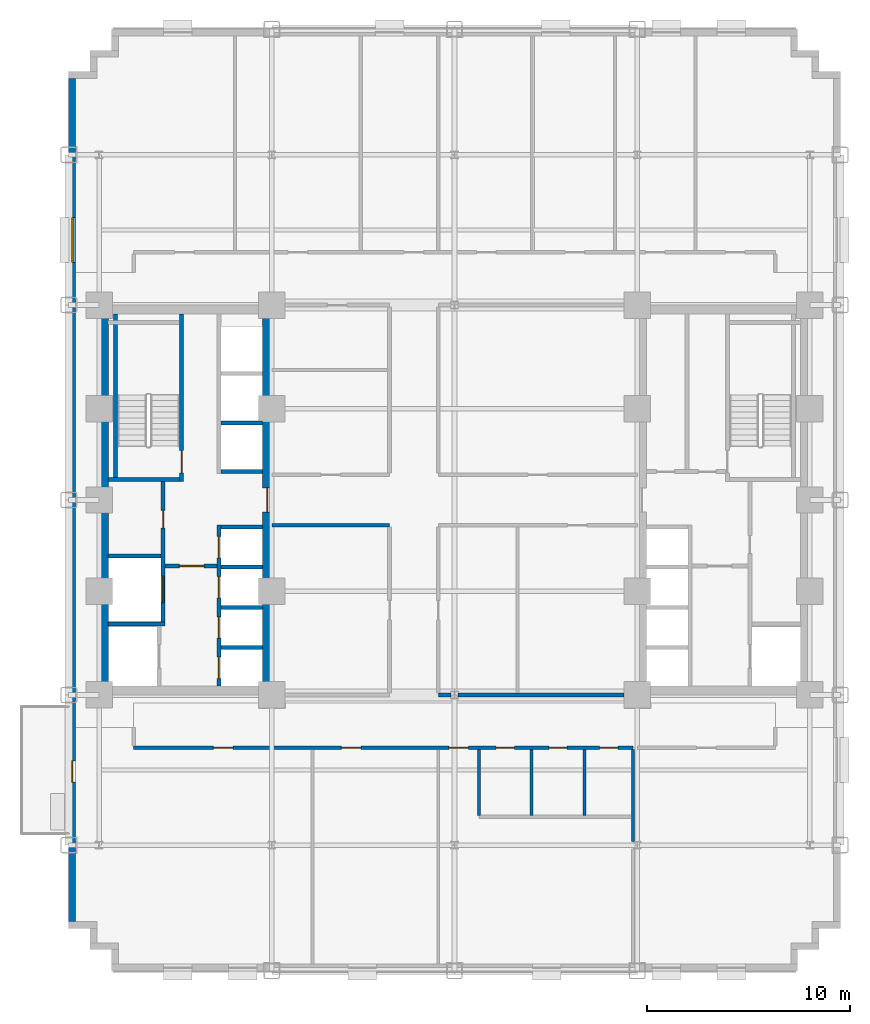
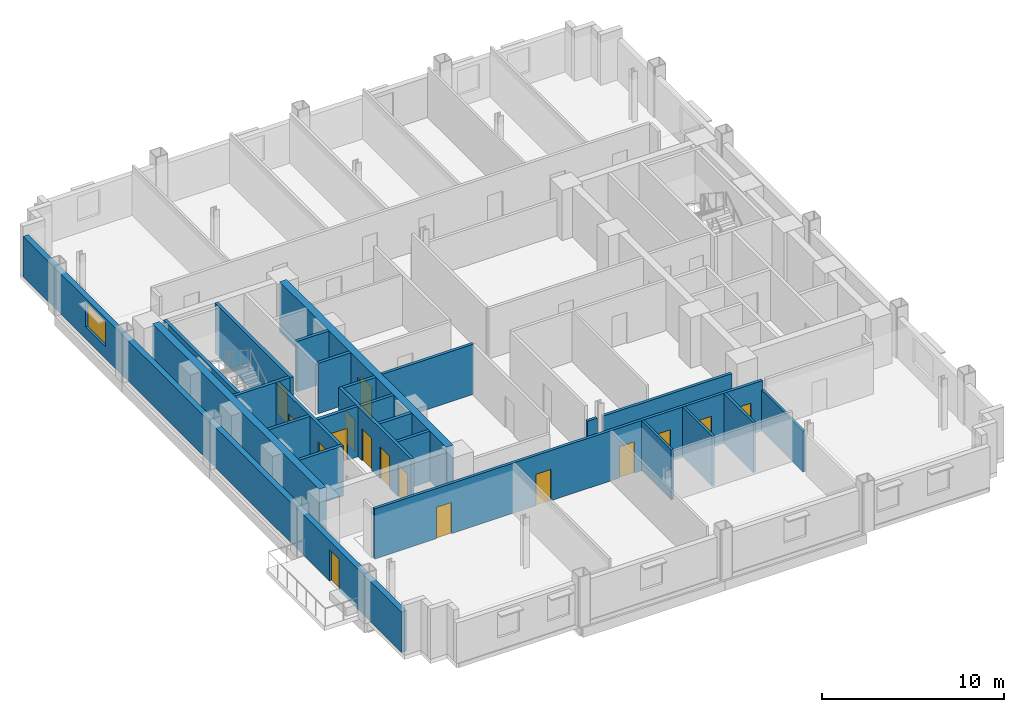
# One storey, part 5 of 12: 25 walls, 16 doors, 1 window, 17 openings.
"""IFC4 building model written with IfcOpenShell, lengths in metres."""

from ifc_helpers import new_model, si_unit, direction, frame, frame_2d, origin, place, context, subcontext, project, spatial, rectangle, extrude, source, transform, mapped, material, layer, layer_set, type_object, type_shapes, element, fill, save


model = new_model("IFC4")

# Units and contexts
model_context = context("Model", 3, precision=1e-05, world=origin(), true_north=direction((0.0, 1.0)))
body_context = subcontext(model_context, "Body", "Model", "MODEL_VIEW")
ifc_project = project(units=[si_unit("LENGTHUNIT", "METRE"), si_unit("AREAUNIT", "SQUARE_METRE"), si_unit("VOLUMEUNIT", "CUBIC_METRE"), si_unit("PLANEANGLEUNIT", "RADIAN"), si_unit("MASSUNIT", "GRAM", prefix="KILO")], contexts=[model_context])

# Site, building, storey
site_placement = place(None, origin())
site = spatial("IfcSite", under=ifc_project, at=site_placement, CompositionType="ELEMENT")
building_placement = place(site_placement, origin())
building = spatial("IfcBuilding", under=site, at=building_placement, Name="Nuvemarco Arch Tower", CompositionType="ELEMENT")
storey_placement = place(building_placement, frame((0.0, 0.0, 38.550048828125)))
storey = spatial("IfcBuildingStorey", under=building, at=storey_placement, Name="L09", CompositionType="ELEMENT", Elevation=38.550048828125)

# Wall, openings, door, window
ifc_material_1 = material(Name="Precast concrete C45/55", Category="concrete")
ifc_layer_1 = layer(ifc_material_1, 0.340087890625, Name="EW-LOW-340")
ifc_layer_set_1 = layer_set([ifc_layer_1], Name="Precast concrete C45/55")
wall_type_1 = type_object("IfcWallType", Name="EW-LOW-340", PredefinedType="STANDARD", material=ifc_layer_set_1)
wall_1_placement = place(storey_placement, frame((-18.830078125, -20.763916015625, 0.0), z_axis=(0.0, 0.0, 1.0), x_axis=(0.0, 1.0, 0.0)))
wall_1 = element("IfcWall", 1, at=wall_1_placement, inside=storey, type_object=wall_type_1, Name="L09 exterior precast facade wall 16", PredefinedType="STANDARD", context=body_context, shape_type="SweptSolid", body=[
    extrude(rectangle(XDim=41.52783203125, YDim=0.340087890625, at=frame_2d((20.763916015625, 0.0))), origin(), (0.0, 0.0, 1.0), 2.704833984375),
])
opening_1_placement = place(wall_1_placement, frame((6.864013671875, 0.0, 0.0)))
opening_1 = element("IfcOpeningElement", 2, at=opening_1_placement, cuts=wall_1, Name="Opening ED-5", PredefinedType="OPENING", context=body_context, shape_type="SweptSolid", body=[
    extrude(rectangle(XDim=1.050048828125, YDim=2.10009765625, at=frame_2d((0.52490234375, 1.050048828125))), frame((0.0, 0.179931640625, 0.0), z_axis=(0.0, -1.0, 0.0), x_axis=(1.0, 0.0, 0.0)), (0.0, 0.0, 1.0), 0.360107421875),
])
opening_2_placement = place(wall_1_placement, frame((32.466552734375, 0.0, 0.800048828125)))
opening_2 = element("IfcOpeningElement", 3, at=opening_2_placement, cuts=wall_1, Name="Opening WN-3", PredefinedType="OPENING", context=body_context, shape_type="SweptSolid", body=[
    extrude(rectangle(XDim=2.199951171875, YDim=1.64990234375, at=frame_2d((1.10009765625, 0.824951171875))), frame((0.0, 0.179931640625, 0.0), z_axis=(0.0, -1.0, 0.0), x_axis=(1.0, 0.0, 0.0)), (0.0, 0.0, 1.0), 0.360107421875),
])
ifc_material_2 = material(Name="Anodised bronze and laminated glass", Category="glass")
door_type_1 = type_object("IfcDoorType", Name="DR-EXT-TERR", OperationType="NOTDEFINED", PredefinedType="DOOR", material=ifc_material_2)
shared_shape_1 = source(origin(), body_context, "Body", "SweptSolid", [
    extrude(rectangle(XDim=1.050048828125, YDim=2.10009765625, at=frame_2d((0.52490234375, 1.050048828125))), frame((0.0, 0.02490234375, 0.0), z_axis=(0.0, -1.0, 0.0), x_axis=(1.0, 0.0, 0.0)), (0.0, 0.0, 1.0), 0.050048828125),
])
type_shapes(door_type_1, [shared_shape_1])
door_1_placement = place(opening_1_placement, origin())
door_1 = element("IfcDoor", 4, at=door_1_placement, inside=storey, type_object=door_type_1, Name="L09 spiral terrace access door", OperationType="SINGLE_SWING_LEFT", OverallHeight=2.10009765625, OverallWidth=1.050048828125, PredefinedType="DOOR", context=body_context, shape_type="MappedRepresentation", body=[
    mapped(shared_shape_1, transform((0.0, 0.0, 0.0), scale=1.0)),
])
fill(opening_1, door_1)
ifc_material_3 = material(Name="Insulated solar-control glass", Category="glass")
window_type = type_object("IfcWindowType", Name="WN-LOW-2200x1650", PartitioningType="DOUBLE_PANEL_VERTICAL", PredefinedType="WINDOW", material=ifc_material_3)
shared_shape_2 = source(origin(), body_context, "Body", "SweptSolid", [
    extrude(rectangle(XDim=2.199951171875, YDim=1.64990234375, at=frame_2d((1.10009765625, 0.824951171875))), frame((0.0, 0.030029296875, 0.0), z_axis=(0.0, -1.0, 0.0), x_axis=(1.0, 0.0, 0.0)), (0.0, 0.0, 1.0), 0.06005859375),
])
type_shapes(window_type, [shared_shape_2])
window_placement = place(opening_2_placement, origin())
window = element("IfcWindow", 5, at=window_placement, inside=storey, type_object=window_type, Name="L09 punched facade window 7", OverallHeight=1.64990234375, OverallWidth=2.199951171875, PartitioningType="SINGLE_PANEL", PredefinedType="WINDOW", context=body_context, shape_type="MappedRepresentation", body=[
    mapped(shared_shape_2, transform((0.0, 0.0, 0.0), scale=1.0)),
])
fill(opening_2, window)

# Wall
ifc_material_4 = material(Name="Concrete C60/75", Category="concrete")
ifc_layer_2 = layer(ifc_material_4, 0.449951171875, Name="WL-CORE-450")
ifc_layer_set_2 = layer_set([ifc_layer_2], Name="Concrete C60/75")
wall_type_2 = type_object("IfcWallType", Name="WL-CORE-450", PredefinedType="SHEAR", material=ifc_layer_set_2)
wall_2_placement = place(storey_placement, frame((-17.27490234375, -9.155029296875, 0.0), z_axis=(0.0, 0.0, 1.0), x_axis=(0.0, 1.0, 0.0)))
element("IfcWall", 6, at=wall_2_placement, inside=storey, type_object=wall_type_2, Name="L09 W-core shear wall W", PredefinedType="SHEAR", context=body_context, shape_type="SweptSolid", body=[
    extrude(rectangle(XDim=18.31005859375, YDim=0.449951171875, at=frame_2d((9.155029296875, 0.0))), origin(), (0.0, 0.0, 1.0), 3.369873046875),
])

# Wall, opening, door
wall_3_placement = place(storey_placement, frame((-9.22509765625, -9.155029296875, 0.0), z_axis=(0.0, 0.0, 1.0), x_axis=(0.0, 1.0, 0.0)))
wall_3 = element("IfcWall", 7, at=wall_3_placement, inside=storey, type_object=wall_type_2, Name="L09 W-core shear wall E", PredefinedType="SHEAR", context=body_context, shape_type="SweptSolid", body=[
    extrude(rectangle(XDim=18.31005859375, YDim=0.449951171875, at=frame_2d((9.155029296875, 0.0))), origin(), (0.0, 0.0, 1.0), 3.369873046875),
])
opening_3_placement = place(wall_3_placement, frame((8.554931640625, 0.0, 0.0)))
opening_3 = element("IfcOpeningElement", 8, at=opening_3_placement, cuts=wall_3, Name="Opening FD-2", PredefinedType="OPENING", context=body_context, shape_type="SweptSolid", body=[
    extrude(rectangle(XDim=1.199951171875, YDim=2.14990234375, at=frame_2d((0.60009765625, 1.074951171875))), frame((0.0, 0.23486328125, 0.0), z_axis=(0.0, -1.0, 0.0), x_axis=(1.0, 0.0, 0.0)), (0.0, 0.0, 1.0), 0.469970703125),
])
ifc_material_5 = material(Name="Anodised steel fire door", Category="steel")
door_type_2 = type_object("IfcDoorType", Name="DR-FFLOB-FD", OperationType="NOTDEFINED", PredefinedType="DOOR", material=ifc_material_5)
shared_shape_3 = source(origin(), body_context, "Body", "SweptSolid", [
    extrude(rectangle(XDim=1.199951171875, YDim=2.14990234375, at=frame_2d((0.60009765625, 1.074951171875))), frame((0.0, 0.02490234375, 0.0), z_axis=(0.0, -1.0, 0.0), x_axis=(1.0, 0.0, 0.0)), (0.0, 0.0, 1.0), 0.050048828125),
])
type_shapes(door_type_2, [shared_shape_3])
door_2_placement = place(opening_3_placement, origin())
door_2 = element("IfcDoor", 9, at=door_2_placement, inside=storey, type_object=door_type_2, Name="L09 door FD-L09-WCORE-E", OperationType="SINGLE_SWING_LEFT", OverallHeight=2.14990234375, OverallWidth=1.199951171875, PredefinedType="DOOR", context=body_context, shape_type="MappedRepresentation", body=[
    mapped(shared_shape_3, transform((0.0, 0.0, 0.0), scale=1.0)),
])
fill(opening_3, door_2)

# Wall, openings, doors
ifc_material_6 = material(Name="Fire-rated gypsum drywall partition")
ifc_layer_3 = layer(ifc_material_6, 0.179931640625, Name="WL-CORR-180")
ifc_layer_set_3 = layer_set([ifc_layer_3], Name="Fire-rated gypsum drywall partition")
wall_type_3 = type_object("IfcWallType", Name="WL-CORR-180", PredefinedType="PARTITIONING", material=ifc_layer_set_3)
wall_4_placement = place(storey_placement, frame((-15.800048828125, -12.199951171875, 0.0), z_axis=(0.0, 0.0, 1.0), x_axis=(1.0, 0.0, 0.0)))
wall_4 = element("IfcWall", 10, at=wall_4_placement, inside=storey, type_object=wall_type_3, Name="L09 interior wall IW-L09-002", PredefinedType="PARTITIONING", context=body_context, shape_type="SweptSolid", body=[
    extrude(rectangle(XDim=24.60009765625, YDim=0.179931640625, at=frame_2d((12.300048828125, 0.0))), origin(), (0.0, 0.0, 1.0), 3.35986328125),
])
opening_4_placement = place(wall_4_placement, frame((3.925048828125, 0.0, 0.0)))
opening_4 = element("IfcOpeningElement", 11, at=opening_4_placement, cuts=wall_4, Name="Opening FD-5", PredefinedType="OPENING", context=body_context, shape_type="SweptSolid", body=[
    extrude(rectangle(XDim=0.9599609375, YDim=2.10009765625, at=frame_2d((0.47998046875, 1.050048828125))), frame((0.0, 0.099853515625, 0.0), z_axis=(0.0, -1.0, 0.0), x_axis=(1.0, 0.0, 0.0)), (0.0, 0.0, 1.0), 0.199951171875),
])
opening_5_placement = place(wall_4_placement, frame((10.22509765625, 0.0, 0.0)))
opening_5 = element("IfcOpeningElement", 12, at=opening_5_placement, cuts=wall_4, Name="Opening FD-5", PredefinedType="OPENING", context=body_context, shape_type="SweptSolid", body=[
    extrude(rectangle(XDim=0.9599609375, YDim=2.10009765625, at=frame_2d((0.47998046875, 1.050048828125))), frame((0.0, 0.099853515625, 0.0), z_axis=(0.0, -1.0, 0.0), x_axis=(1.0, 0.0, 0.0)), (0.0, 0.0, 1.0), 0.199951171875),
])
opening_6_placement = place(wall_4_placement, frame((20.449951171875, 0.0, 0.0)))
opening_6 = element("IfcOpeningElement", 13, at=opening_6_placement, cuts=wall_4, Name="Opening ID-3", PredefinedType="OPENING", context=body_context, shape_type="SweptSolid", body=[
    extrude(rectangle(XDim=0.89990234375, YDim=2.10009765625, at=frame_2d((0.449951171875, 1.050048828125))), frame((0.0, 0.099853515625, 0.0), z_axis=(0.0, -1.0, 0.0), x_axis=(1.0, 0.0, 0.0)), (0.0, 0.0, 1.0), 0.199951171875),
])
opening_7_placement = place(wall_4_placement, frame((17.85009765625, 0.0, 0.0)))
opening_7 = element("IfcOpeningElement", 14, at=opening_7_placement, cuts=wall_4, Name="Opening ID-3", PredefinedType="OPENING", context=body_context, shape_type="SweptSolid", body=[
    extrude(rectangle(XDim=0.89990234375, YDim=2.10009765625, at=frame_2d((0.449951171875, 1.050048828125))), frame((0.0, 0.099853515625, 0.0), z_axis=(0.0, -1.0, 0.0), x_axis=(1.0, 0.0, 0.0)), (0.0, 0.0, 1.0), 0.199951171875),
])
opening_8_placement = place(wall_4_placement, frame((22.949951171875, 0.0, 0.0)))
opening_8 = element("IfcOpeningElement", 15, at=opening_8_placement, cuts=wall_4, Name="Opening ID-3", PredefinedType="OPENING", context=body_context, shape_type="SweptSolid", body=[
    extrude(rectangle(XDim=0.89990234375, YDim=2.10009765625, at=frame_2d((0.449951171875, 1.050048828125))), frame((0.0, 0.099853515625, 0.0), z_axis=(0.0, -1.0, 0.0), x_axis=(1.0, 0.0, 0.0)), (0.0, 0.0, 1.0), 0.199951171875),
])
opening_9_placement = place(wall_4_placement, frame((15.52001953125, 0.0, 0.0)))
opening_9 = element("IfcOpeningElement", 16, at=opening_9_placement, cuts=wall_4, Name="Opening FD-5", PredefinedType="OPENING", context=body_context, shape_type="SweptSolid", body=[
    extrude(rectangle(XDim=0.9599609375, YDim=2.10009765625, at=frame_2d((0.47998046875, 1.050048828125))), frame((0.0, 0.099853515625, 0.0), z_axis=(0.0, -1.0, 0.0), x_axis=(1.0, 0.0, 0.0)), (0.0, 0.0, 1.0), 0.199951171875),
])
ifc_material_7 = material(Name="Timber fire door", Category="wood")
door_type_3 = type_object("IfcDoorType", Name="DR-CORR-FD", OperationType="NOTDEFINED", PredefinedType="DOOR", material=ifc_material_7)
shared_shape_4 = source(origin(), body_context, "Body", "SweptSolid", [
    extrude(rectangle(XDim=0.9599609375, YDim=2.10009765625, at=frame_2d((0.47998046875, 1.050048828125))), frame((0.0, 0.02490234375, 0.0), z_axis=(0.0, -1.0, 0.0), x_axis=(1.0, 0.0, 0.0)), (0.0, 0.0, 1.0), 0.050048828125),
])
type_shapes(door_type_3, [shared_shape_4])
door_3_placement = place(opening_4_placement, origin())
door_3 = element("IfcDoor", 17, at=door_3_placement, inside=storey, type_object=door_type_3, Name="L09 door DR-L09-S_1", OperationType="SINGLE_SWING_RIGHT", OverallHeight=2.10009765625, OverallWidth=0.9599609375, PredefinedType="DOOR", context=body_context, shape_type="MappedRepresentation", body=[
    mapped(shared_shape_4, transform((0.0, 0.0, 0.0), scale=1.0)),
])
fill(opening_4, door_3)
door_4_placement = place(opening_5_placement, origin())
door_4 = element("IfcDoor", 18, at=door_4_placement, inside=storey, type_object=door_type_3, Name="L09 door DR-L09-S_2", OperationType="SINGLE_SWING_LEFT", OverallHeight=2.10009765625, OverallWidth=0.9599609375, PredefinedType="DOOR", context=body_context, shape_type="MappedRepresentation", body=[
    mapped(shared_shape_4, transform((0.0, 0.0, 0.0), scale=1.0)),
])
fill(opening_5, door_4)
door_5_placement = place(opening_9_placement, origin())
door_5 = element("IfcDoor", 19, at=door_5_placement, inside=storey, type_object=door_type_3, Name="L09 door DR-L09-S_3", OperationType="SINGLE_SWING_RIGHT", OverallHeight=2.10009765625, OverallWidth=0.9599609375, PredefinedType="DOOR", context=body_context, shape_type="MappedRepresentation", body=[
    mapped(shared_shape_4, transform((0.0, 0.0, 0.0), scale=1.0)),
])
fill(opening_9, door_5)
ifc_material_8 = material(Name="Veneered oak timber fire door", Category="wood")
door_type_4 = type_object("IfcDoorType", Name="DR-WC-ACC", OperationType="NOTDEFINED", PredefinedType="DOOR", material=ifc_material_8)
shared_shape_5 = source(origin(), body_context, "Body", "SweptSolid", [
    extrude(rectangle(XDim=0.89990234375, YDim=2.10009765625, at=frame_2d((0.449951171875, 1.050048828125))), frame((0.0, 0.02490234375, 0.0), z_axis=(0.0, -1.0, 0.0), x_axis=(1.0, 0.0, 0.0)), (0.0, 0.0, 1.0), 0.050048828125),
])
type_shapes(door_type_4, [shared_shape_5])
door_6_placement = place(opening_6_placement, origin())
door_6 = element("IfcDoor", 20, at=door_6_placement, inside=storey, type_object=door_type_4, Name="L09 door DR-L09-WC_F", OperationType="SINGLE_SWING_RIGHT", OverallHeight=2.10009765625, OverallWidth=0.89990234375, PredefinedType="DOOR", context=body_context, shape_type="MappedRepresentation", body=[
    mapped(shared_shape_5, transform((0.0, 0.0, 0.0), scale=1.0)),
])
fill(opening_6, door_6)
door_7_placement = place(opening_7_placement, origin())
door_7 = element("IfcDoor", 21, at=door_7_placement, inside=storey, type_object=door_type_4, Name="L09 door DR-L09-WC_M", OperationType="SINGLE_SWING_LEFT", OverallHeight=2.10009765625, OverallWidth=0.89990234375, PredefinedType="DOOR", context=body_context, shape_type="MappedRepresentation", body=[
    mapped(shared_shape_5, transform((0.0, 0.0, 0.0), scale=1.0)),
])
fill(opening_7, door_7)
door_8_placement = place(opening_8_placement, origin())
door_8 = element("IfcDoor", 22, at=door_8_placement, inside=storey, type_object=door_type_4, Name="L09 door DR-L09-WC_ACC", OperationType="SINGLE_SWING_RIGHT", OverallHeight=2.10009765625, OverallWidth=0.89990234375, PredefinedType="DOOR", context=body_context, shape_type="MappedRepresentation", body=[
    mapped(shared_shape_5, transform((0.0, 0.0, 0.0), scale=1.0)),
])
fill(opening_8, door_8)

# Walls
wall_5_placement = place(storey_placement, frame((-0.800048828125, -9.60009765625, 0.0), z_axis=(0.0, 0.0, 1.0), x_axis=(1.0, 0.0, 0.0)))
element("IfcWall", 23, at=wall_5_placement, inside=storey, type_object=wall_type_3, Name="L09 interior wall IW-L09-005", PredefinedType="PARTITIONING", context=body_context, shape_type="SweptSolid", body=[
    extrude(rectangle(XDim=0.6240234375, YDim=0.179931640625, at=frame_2d((0.31201171875, 0.0))), origin(), (0.0, 0.0, 1.0), 2.405029296875),
])
wall_6_placement = place(storey_placement, frame((0.176025390625, -9.60009765625, 0.0), z_axis=(0.0, 0.0, 1.0), x_axis=(1.0, 0.0, 0.0)))
element("IfcWall", 24, at=wall_6_placement, inside=storey, type_object=wall_type_3, Name="L09 interior wall IW-L09-006", PredefinedType="PARTITIONING", context=body_context, shape_type="SweptSolid", body=[
    extrude(rectangle(XDim=8.177978515625, YDim=0.179931640625, at=frame_2d((4.0888671875, 0.0))), origin(), (0.0, 0.0, 1.0), 2.405029296875),
])
wall_7_placement = place(storey_placement, frame((-9.0, -1.25, 0.0), z_axis=(0.0, 0.0, 1.0), x_axis=(1.0, 0.0, 0.0)))
element("IfcWall", 25, at=wall_7_placement, inside=storey, type_object=wall_type_3, Name="L09 interior wall IW-L09-007", PredefinedType="PARTITIONING", context=body_context, shape_type="SweptSolid", body=[
    extrude(rectangle(XDim=5.800048828125, YDim=0.179931640625, at=frame_2d((2.89990234375, 0.0))), origin(), (0.0, 0.0, 1.0), 3.35986328125),
])

# Wall, opening, door
ifc_material_9 = material(Name="Concrete C50/60", Category="concrete")
ifc_layer_4 = layer(ifc_material_9, 0.199951171875, Name="WL-SHAFT-220")
ifc_layer_set_4 = layer_set([ifc_layer_4], Name="Concrete C50/60")
wall_type_4 = type_object("IfcWallType", Name="WL-SHAFT-220", PredefinedType="SHEAR", material=ifc_layer_set_4)
wall_8_placement = place(storey_placement, frame((-13.43994140625, 0.89990234375, 0.0), z_axis=(0.0, 0.0, 1.0), x_axis=(0.0, 1.0, 0.0)))
wall_8 = element("IfcWall", 26, at=wall_8_placement, inside=storey, type_object=wall_type_4, Name="L09 structural shaft wall SW-L09-W-ST1E", PredefinedType="SHEAR", context=body_context, shape_type="SweptSolid", body=[
    extrude(rectangle(XDim=8.255126953125, YDim=0.199951171875, at=frame_2d((4.12744140625, 0.0))), origin(), (0.0, 0.0, 1.0), 3.369873046875),
])
opening_10_placement = place(wall_8_placement, frame((1.530029296875, 0.0, 0.0), z_axis=(0.0, 0.0, 1.0), x_axis=(-1.0, 0.0, 0.0)))
opening_10 = element("IfcOpeningElement", 27, at=opening_10_placement, cuts=wall_8, Name="Opening FD-1", PredefinedType="OPENING", context=body_context, shape_type="SweptSolid", body=[
    extrude(rectangle(XDim=1.10009765625, YDim=2.14990234375, at=frame_2d((0.550048828125, 1.074951171875))), frame((0.0, 0.10986328125, 0.0), z_axis=(0.0, -1.0, 0.0), x_axis=(1.0, 0.0, 0.0)), (0.0, 0.0, 1.0), 0.219970703125),
])
door_type_5 = type_object("IfcDoorType", Name="DR-STAIR-FD", OperationType="NOTDEFINED", PredefinedType="DOOR", material=ifc_material_5)
shared_shape_6 = source(origin(), body_context, "Body", "SweptSolid", [
    extrude(rectangle(XDim=1.10009765625, YDim=2.14990234375, at=frame_2d((0.550048828125, 1.074951171875))), frame((0.0, 0.02490234375, 0.0), z_axis=(0.0, -1.0, 0.0), x_axis=(1.0, 0.0, 0.0)), (0.0, 0.0, 1.0), 0.050048828125),
])
type_shapes(door_type_5, [shared_shape_6])
door_9_placement = place(opening_10_placement, origin())
door_9 = element("IfcDoor", 28, at=door_9_placement, inside=storey, type_object=door_type_5, Name="L09 door FD-L09-ST1", OperationType="SINGLE_SWING_LEFT", OverallHeight=2.14990234375, OverallWidth=1.10009765625, PredefinedType="DOOR", context=body_context, shape_type="MappedRepresentation", body=[
    mapped(shared_shape_6, transform((0.0, 0.0, 0.0), scale=1.0)),
])
fill(opening_10, door_9)

# Walls
wall_9_placement = place(storey_placement, frame((-17.054931640625, 1.0, 0.0), z_axis=(0.0, 0.0, 1.0), x_axis=(1.0, 0.0, 0.0)))
element("IfcWall", 29, at=wall_9_placement, inside=storey, type_object=wall_type_4, Name="L09 structural shaft wall SW-L09-W-ST1S", PredefinedType="SHEAR", context=body_context, shape_type="SweptSolid", body=[
    extrude(rectangle(XDim=3.52001953125, YDim=0.199951171875, at=frame_2d((1.760009765625, 0.0))), origin(), (0.0, 0.0, 1.0), 3.369873046875),
])
wall_10_placement = place(storey_placement, frame((-16.699951171875, 1.094970703125, 0.0), z_axis=(0.0, 0.0, 1.0), x_axis=(0.0, 1.0, 0.0)))
element("IfcWall", 30, at=wall_10_placement, inside=storey, type_object=wall_type_4, Name="L09 structural shaft wall SW-L09-W-ST1W", PredefinedType="SHEAR", context=body_context, shape_type="SweptSolid", body=[
    extrude(rectangle(XDim=8.06005859375, YDim=0.199951171875, at=frame_2d((4.030029296875, 0.0))), origin(), (0.0, 0.0, 1.0), 3.369873046875),
])

# Wall, openings, doors
wall_11_placement = place(storey_placement, frame((-14.35009765625, -6.199951171875, 0.0), z_axis=(0.0, 0.0, 1.0), x_axis=(0.0, 1.0, 0.0)))
wall_11 = element("IfcWall", 31, at=wall_11_placement, inside=storey, type_object=wall_type_4, Name="L09 structural shaft wall SW-L09-W-SVE", PredefinedType="SHEAR", context=body_context, shape_type="SweptSolid", body=[
    extrude(rectangle(XDim=7.10498046875, YDim=0.199951171875, at=frame_2d((3.552490234375, 0.0))), origin(), (0.0, 0.0, 1.0), 3.369873046875),
])
opening_11_placement = place(wall_11_placement, frame((5.68994140625, 0.0, 0.0), z_axis=(0.0, 0.0, 1.0), x_axis=(-1.0, 0.0, 0.0)))
opening_11 = element("IfcOpeningElement", 32, at=opening_11_placement, cuts=wall_11, Name="Opening FD-4", PredefinedType="OPENING", context=body_context, shape_type="SweptSolid", body=[
    extrude(rectangle(XDim=0.8798828125, YDim=2.10009765625, at=frame_2d((0.43994140625, 1.050048828125))), frame((0.0, 0.10986328125, 0.0), z_axis=(0.0, -1.0, 0.0), x_axis=(1.0, 0.0, 0.0)), (0.0, 0.0, 1.0), 0.219970703125),
])
opening_12_placement = place(wall_11_placement, frame((1.14990234375, 0.0, 0.0)))
opening_12 = element("IfcOpeningElement", 33, at=opening_12_placement, cuts=wall_11, Name="Opening LD-3", PredefinedType="OPENING", context=body_context, shape_type="SweptSolid", body=[
    extrude(rectangle(XDim=1.300048828125, YDim=2.199951171875, at=frame_2d((0.64990234375, 1.10009765625))), frame((0.0, 0.10986328125, 0.0), z_axis=(0.0, -1.0, 0.0), x_axis=(1.0, 0.0, 0.0)), (0.0, 0.0, 1.0), 0.219970703125),
])
door_type_6 = type_object("IfcDoorType", Name="DR-RISER-FD", OperationType="NOTDEFINED", PredefinedType="DOOR", material=ifc_material_5)
shared_shape_7 = source(origin(), body_context, "Body", "SweptSolid", [
    extrude(rectangle(XDim=0.8798828125, YDim=2.10009765625, at=frame_2d((0.43994140625, 1.050048828125))), frame((0.0, 0.02490234375, 0.0), z_axis=(0.0, -1.0, 0.0), x_axis=(1.0, 0.0, 0.0)), (0.0, 0.0, 1.0), 0.050048828125),
])
type_shapes(door_type_6, [shared_shape_7])
door_10_placement = place(opening_11_placement, origin())
door_10 = element("IfcDoor", 34, at=door_10_placement, inside=storey, type_object=door_type_6, Name="L09 door FD-L09-WRIS", OperationType="SINGLE_SWING_LEFT", OverallHeight=2.10009765625, OverallWidth=0.8798828125, PredefinedType="DOOR", context=body_context, shape_type="MappedRepresentation", body=[
    mapped(shared_shape_7, transform((0.0, 0.0, 0.0), scale=1.0)),
])
fill(opening_11, door_10)
ifc_material_10 = material(Name="Stainless steel lift door", Category="steel")
door_type_7 = type_object("IfcDoorType", Name="DR-LIFT-SERV", OperationType="DOUBLE_DOOR_SLIDING", PredefinedType="DOOR", material=ifc_material_10)
shared_shape_8 = source(origin(), body_context, "Body", "SweptSolid", [
    extrude(rectangle(XDim=1.300048828125, YDim=2.199951171875, at=frame_2d((0.64990234375, 1.10009765625))), frame((0.0, 0.02490234375, 0.0), z_axis=(0.0, -1.0, 0.0), x_axis=(1.0, 0.0, 0.0)), (0.0, 0.0, 1.0), 0.050048828125),
])
type_shapes(door_type_7, [shared_shape_8])
door_11_placement = place(opening_12_placement, origin())
door_11 = element("IfcDoor", 35, at=door_11_placement, inside=storey, type_object=door_type_7, Name="L09 Lift landing sliding door SVL-1", OperationType="DOUBLE_DOOR_SLIDING", OverallHeight=2.199951171875, OverallWidth=1.300048828125, PredefinedType="DOOR", context=body_context, shape_type="MappedRepresentation", body=[
    mapped(shared_shape_8, transform((0.0, 0.0, 0.0), scale=1.0)),
])
fill(opening_12, door_11)

# Walls
wall_12_placement = place(storey_placement, frame((-17.054931640625, -6.10009765625, 0.0), z_axis=(0.0, 0.0, 1.0), x_axis=(1.0, 0.0, 0.0)))
element("IfcWall", 36, at=wall_12_placement, inside=storey, type_object=wall_type_4, Name="L09 structural shaft wall SW-L09-W-SH1", PredefinedType="SHEAR", context=body_context, shape_type="SweptSolid", body=[
    extrude(rectangle(XDim=2.804931640625, YDim=0.199951171875, at=frame_2d((1.40234375, 0.0))), origin(), (0.0, 0.0, 1.0), 3.369873046875),
])
wall_13_placement = place(storey_placement, frame((-17.054931640625, -2.75, 0.0), z_axis=(0.0, 0.0, 1.0), x_axis=(1.0, 0.0, 0.0)))
element("IfcWall", 37, at=wall_13_placement, inside=storey, type_object=wall_type_4, Name="L09 structural shaft wall SW-L09-W-SH2", PredefinedType="SHEAR", context=body_context, shape_type="SweptSolid", body=[
    extrude(rectangle(XDim=2.60986328125, YDim=0.199951171875, at=frame_2d((1.304931640625, 0.0))), origin(), (0.0, 0.0, 1.0), 3.369873046875),
])

# Wall, openings, doors
wall_14_placement = place(storey_placement, frame((-11.60009765625, -9.155029296875, 0.0), z_axis=(0.0, 0.0, 1.0), x_axis=(0.0, 1.0, 0.0)))
wall_14 = element("IfcWall", 38, at=wall_14_placement, inside=storey, type_object=wall_type_4, Name="L09 structural shaft wall SW-L09-W-PLW", PredefinedType="SHEAR", context=body_context, shape_type="SweptSolid", body=[
    extrude(rectangle(XDim=7.925048828125, YDim=0.199951171875, at=frame_2d((3.96240234375, 0.0))), origin(), (0.0, 0.0, 1.0), 3.369873046875),
])
opening_13_placement = place(wall_14_placement, frame((0.3701171875, 0.0, 0.0)))
opening_13 = element("IfcOpeningElement", 39, at=opening_13_placement, cuts=wall_14, Name="Opening LD-1", PredefinedType="OPENING", context=body_context, shape_type="SweptSolid", body=[
    extrude(rectangle(XDim=1.050048828125, YDim=2.14990234375, at=frame_2d((0.52490234375, 1.074951171875))), frame((0.0, 0.10986328125, 0.0), z_axis=(0.0, -1.0, 0.0), x_axis=(1.0, 0.0, 0.0)), (0.0, 0.0, 1.0), 0.219970703125),
])
opening_14_placement = place(wall_14_placement, frame((2.35009765625, 0.0, 0.0)))
opening_14 = element("IfcOpeningElement", 40, at=opening_14_placement, cuts=wall_14, Name="Opening LD-1", PredefinedType="OPENING", context=body_context, shape_type="SweptSolid", body=[
    extrude(rectangle(XDim=1.050048828125, YDim=2.14990234375, at=frame_2d((0.52490234375, 1.074951171875))), frame((0.0, 0.10986328125, 0.0), z_axis=(0.0, -1.0, 0.0), x_axis=(1.0, 0.0, 0.0)), (0.0, 0.0, 1.0), 0.219970703125),
])
opening_15_placement = place(wall_14_placement, frame((4.330078125, 0.0, 0.0)))
opening_15 = element("IfcOpeningElement", 41, at=opening_15_placement, cuts=wall_14, Name="Opening LD-1", PredefinedType="OPENING", context=body_context, shape_type="SweptSolid", body=[
    extrude(rectangle(XDim=1.050048828125, YDim=2.14990234375, at=frame_2d((0.52490234375, 1.074951171875))), frame((0.0, 0.10986328125, 0.0), z_axis=(0.0, -1.0, 0.0), x_axis=(1.0, 0.0, 0.0)), (0.0, 0.0, 1.0), 0.219970703125),
])
opening_16_placement = place(wall_14_placement, frame((6.31005859375, 0.0, 0.0)))
opening_16 = element("IfcOpeningElement", 42, at=opening_16_placement, cuts=wall_14, Name="Opening LD-1", PredefinedType="OPENING", context=body_context, shape_type="SweptSolid", body=[
    extrude(rectangle(XDim=1.050048828125, YDim=2.14990234375, at=frame_2d((0.52490234375, 1.074951171875))), frame((0.0, 0.10986328125, 0.0), z_axis=(0.0, -1.0, 0.0), x_axis=(1.0, 0.0, 0.0)), (0.0, 0.0, 1.0), 0.219970703125),
])
door_type_8 = type_object("IfcDoorType", Name="DR-LIFT-PASS", OperationType="DOUBLE_DOOR_SLIDING", PredefinedType="DOOR", material=ifc_material_10)
shared_shape_9 = source(origin(), body_context, "Body", "SweptSolid", [
    extrude(rectangle(XDim=1.050048828125, YDim=2.14990234375, at=frame_2d((0.52490234375, 1.074951171875))), frame((0.0, 0.02490234375, 0.0), z_axis=(0.0, -1.0, 0.0), x_axis=(1.0, 0.0, 0.0)), (0.0, 0.0, 1.0), 0.050048828125),
])
type_shapes(door_type_8, [shared_shape_9])
door_12_placement = place(opening_13_placement, origin())
door_12 = element("IfcDoor", 43, at=door_12_placement, inside=storey, type_object=door_type_8, Name="L09 Lift landing sliding door PL-1", OperationType="DOUBLE_DOOR_SLIDING", OverallHeight=2.14990234375, OverallWidth=1.050048828125, PredefinedType="DOOR", context=body_context, shape_type="MappedRepresentation", body=[
    mapped(shared_shape_9, transform((0.0, 0.0, 0.0), scale=1.0)),
])
fill(opening_13, door_12)
door_13_placement = place(opening_14_placement, origin())
door_13 = element("IfcDoor", 44, at=door_13_placement, inside=storey, type_object=door_type_8, Name="L09 Lift landing sliding door PL-2", OperationType="DOUBLE_DOOR_SLIDING", OverallHeight=2.14990234375, OverallWidth=1.050048828125, PredefinedType="DOOR", context=body_context, shape_type="MappedRepresentation", body=[
    mapped(shared_shape_9, transform((0.0, 0.0, 0.0), scale=1.0)),
])
fill(opening_14, door_13)
door_14_placement = place(opening_15_placement, origin())
door_14 = element("IfcDoor", 45, at=door_14_placement, inside=storey, type_object=door_type_8, Name="L09 Lift landing sliding door PL-3", OperationType="DOUBLE_DOOR_SLIDING", OverallHeight=2.14990234375, OverallWidth=1.050048828125, PredefinedType="DOOR", context=body_context, shape_type="MappedRepresentation", body=[
    mapped(shared_shape_9, transform((0.0, 0.0, 0.0), scale=1.0)),
])
fill(opening_15, door_14)
door_15_placement = place(opening_16_placement, origin())
door_15 = element("IfcDoor", 46, at=door_15_placement, inside=storey, type_object=door_type_8, Name="L09 Lift landing sliding door PL-4", OperationType="DOUBLE_DOOR_SLIDING", OverallHeight=2.14990234375, OverallWidth=1.050048828125, PredefinedType="DOOR", context=body_context, shape_type="MappedRepresentation", body=[
    mapped(shared_shape_9, transform((0.0, 0.0, 0.0), scale=1.0)),
])
fill(opening_16, door_15)

# Wall, opening, door
wall_15_placement = place(storey_placement, frame((-14.2548828125, -3.25, 0.0), z_axis=(0.0, 0.0, 1.0), x_axis=(1.0, 0.0, 0.0)))
wall_15 = element("IfcWall", 47, at=wall_15_placement, inside=storey, type_object=wall_type_4, Name="L09 structural shaft wall SW-L09-W-FFN", PredefinedType="SHEAR", context=body_context, shape_type="SweptSolid", body=[
    extrude(rectangle(XDim=2.559814453125, YDim=0.199951171875, at=frame_2d((1.27978515625, 0.0))), origin(), (0.0, 0.0, 1.0), 3.369873046875),
])
opening_17_placement = place(wall_15_placement, frame((0.705078125, 0.0, 0.0)))
opening_17 = element("IfcOpeningElement", 48, at=opening_17_placement, cuts=wall_15, Name="Opening FD-2", PredefinedType="OPENING", context=body_context, shape_type="SweptSolid", body=[
    extrude(rectangle(XDim=1.199951171875, YDim=2.14990234375, at=frame_2d((0.60009765625, 1.074951171875))), frame((0.0, 0.10986328125, 0.0), z_axis=(0.0, -1.0, 0.0), x_axis=(1.0, 0.0, 0.0)), (0.0, 0.0, 1.0), 0.219970703125),
])
door_16_placement = place(opening_17_placement, origin())
door_16 = element("IfcDoor", 49, at=door_16_placement, inside=storey, type_object=door_type_2, Name="L09 door FD-L09-WFF1", OperationType="SINGLE_SWING_LEFT", OverallHeight=2.14990234375, OverallWidth=1.199951171875, PredefinedType="DOOR", context=body_context, shape_type="MappedRepresentation", body=[
    mapped(shared_shape_3, transform((0.0, 0.0, 0.0), scale=1.0)),
])
fill(opening_17, door_16)

# Walls
for number, where, z_axis, x_axis, name in (
    (50, (-11.5048828125, -7.27001953125, 0.0), (0.0, 0.0, 1.0), (1.0, 0.0, 0.0), "L09 structural shaft wall SW-L09-W-PLD1"),
    (51, (-11.5048828125, -5.2900390625, 0.0), (0.0, 0.0, 1.0), (1.0, 0.0, 0.0), "L09 structural shaft wall SW-L09-W-PLD2"),
    (52, (-11.5048828125, -3.31005859375, 0.0), (0.0, 0.0, 1.0), (1.0, 0.0, 0.0), "L09 structural shaft wall SW-L09-W-PLD3"),
    (53, (-11.5048828125, -1.330078125, 0.0), (0.0, 0.0, 1.0), (1.0, 0.0, 0.0), "L09 structural shaft wall SW-L09-W-PLD4"),
    (54, (-11.5048828125, 1.39990234375, 0.0), (0.0, 0.0, 1.0), (1.0, 0.0, 0.0), "L09 structural shaft wall SW-L09-W-PHD1"),
    (55, (-11.5048828125, 3.800048828125, 0.0), (0.0, 0.0, 1.0), (1.0, 0.0, 0.0), "L09 structural shaft wall SW-L09-W-PHD2"),
):
    element("IfcWall", number, at=place(storey_placement, frame(where, z_axis=z_axis, x_axis=x_axis)), inside=storey, type_object=wall_type_4, Name=name, PredefinedType="SHEAR", context=body_context, shape_type="SweptSolid", body=[
        extrude(rectangle(XDim=2.059814453125, YDim=0.199951171875, at=frame_2d((1.02978515625, 0.0))), origin(), (0.0, 0.0, 1.0), 3.369873046875),
    ])
ifc_material_11 = material(Name="Moisture-resistant gypsum partition")
ifc_layer_5 = layer(ifc_material_11, 0.14990234375, Name="WL-WET-150")
ifc_layer_set_5 = layer_set([ifc_layer_5], Name="Moisture-resistant gypsum partition")
wall_type_5 = type_object("IfcWallType", Name="WL-WET-150", PredefinedType="PARTITIONING", material=ifc_layer_set_5)
for number, where, z_axis, x_axis, name in (
    (56, (1.199951171875, -15.529052734375, 0.0), (0.0, 0.0, 1.0), (0.0, 1.0, 0.0), "L09 interior wall IW-L09-027"),
    (57, (3.800048828125, -15.529052734375, 0.0), (0.0, 0.0, 1.0), (0.0, 1.0, 0.0), "L09 interior wall IW-L09-029"),
    (58, (6.39990234375, -15.529052734375, 0.0), (0.0, 0.0, 1.0), (0.0, 1.0, 0.0), "L09 interior wall IW-L09-031"),
):
    element("IfcWall", number, at=place(storey_placement, frame(where, z_axis=z_axis, x_axis=x_axis)), inside=storey, type_object=wall_type_5, Name=name, PredefinedType="PARTITIONING", context=body_context, shape_type="SweptSolid", body=[
        extrude(rectangle(XDim=3.2431640625, YDim=0.14990234375, at=frame_2d((1.62158203125, 0.0))), origin(), (0.0, 0.0, 1.0), 3.35986328125),
    ])
wall_16_placement = place(storey_placement, frame((8.800048828125, -16.823974609375, 0.0), z_axis=(0.0, 0.0, 1.0), x_axis=(0.0, 1.0, 0.0)))
element("IfcWall", 59, at=wall_16_placement, inside=storey, type_object=wall_type_5, Name="L09 interior wall IW-L09-034", PredefinedType="PARTITIONING", context=body_context, shape_type="SweptSolid", body=[
    extrude(rectangle(XDim=4.5380859375, YDim=0.14990234375, at=frame_2d((2.26904296875, 0.0))), origin(), (0.0, 0.0, 1.0), 2.738037109375),
])

save(model, "model.ifc")
